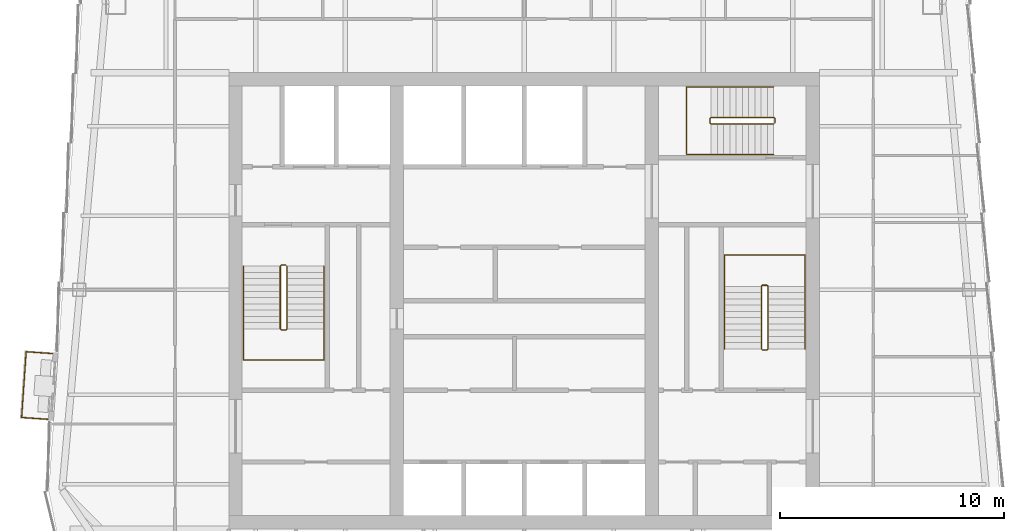
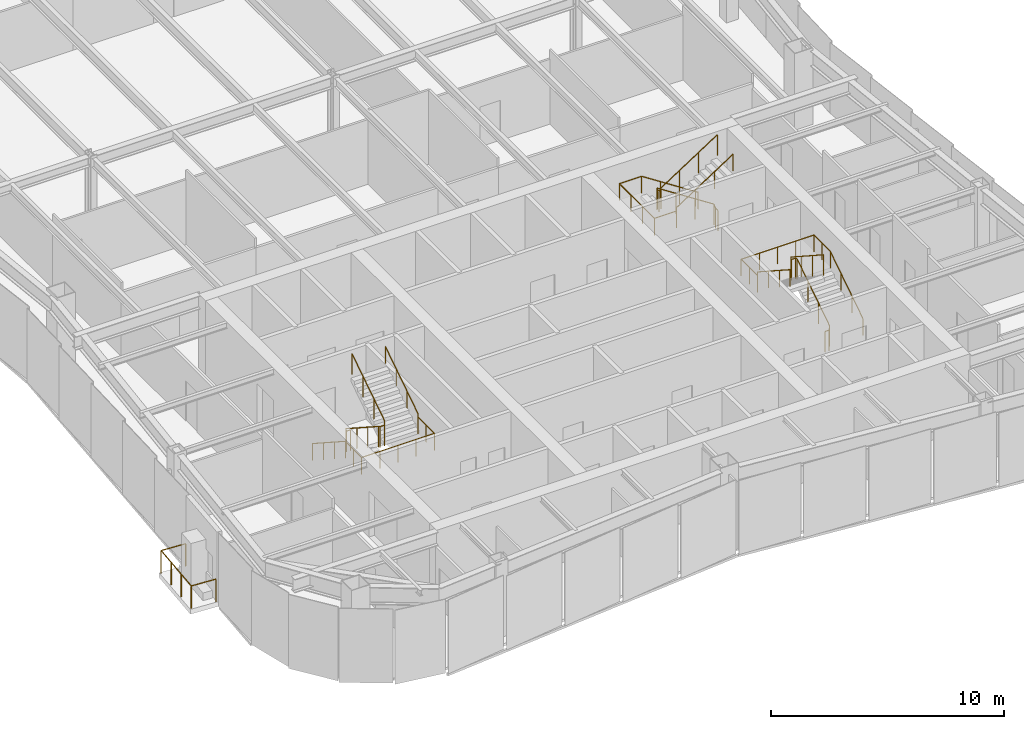
# One storey, part 9 of 10: 7 railings.
"""IFC4 building model written with IfcOpenShell, lengths in metres."""

from ifc_helpers import new_model, si_unit, direction, frame, origin, origin_2d, place, context, subcontext, project, spatial, circle, extrude, material, type_object, element, save


model = new_model("IFC4")

# Units and contexts
model_context = context("Model", 3, precision=1e-05, world=origin(), true_north=direction((0.0, 1.0)))
body_context = subcontext(model_context, "Body", "Model", "MODEL_VIEW")
ifc_project = project(units=[si_unit("LENGTHUNIT", "METRE"), si_unit("AREAUNIT", "SQUARE_METRE"), si_unit("VOLUMEUNIT", "CUBIC_METRE"), si_unit("PLANEANGLEUNIT", "RADIAN"), si_unit("MASSUNIT", "GRAM", prefix="KILO")], contexts=[model_context])

# Site, building, storey
site_placement = place(None, origin())
site = spatial("IfcSite", under=ifc_project, at=site_placement, CompositionType="ELEMENT")
building_placement = place(site_placement, origin())
building = spatial("IfcBuilding", under=site, at=building_placement, Name="Verdant Reach Tower", CompositionType="ELEMENT")
storey_placement = place(building_placement, frame((0.0, 0.0, 326.0)))
storey = spatial("IfcBuildingStorey", under=building, at=storey_placement, Name="L75", CompositionType="ELEMENT", Elevation=326.0)

# Railings
ifc_material_1 = material(Name="Stainless steel", Category="steel")
railing_type_1 = type_object("IfcRailingType", Name="CO-GUARD", PredefinedType="GUARDRAIL", material=ifc_material_1)
railing_1_placement = place(storey_placement, frame((-10.64990234375, 29.60009765625, 0.0)))
element("IfcRailing", 1, at=railing_1_placement, inside=storey, type_object=railing_type_1, Name="L75 ST-1 stair guard 1", PredefinedType="GUARDRAIL", context=body_context, shape_type="SweptSolid", body=[
    extrude(circle(Radius=0.02392578125, at=origin_2d()), frame((0.0, 0.0, 1.076171875), z_axis=(-1.0, 0.0, 0.0), x_axis=(0.0, -1.0, 0.0)), (0.0, 0.0, 1.0), 0.2001953125),
    extrude(circle(Radius=0.02392578125, at=origin_2d()), frame((-0.2001953125, 0.0, 1.076171875), z_axis=(-0.25526617399, -0.256517478764, 0.932222056972), x_axis=(0.708833529934, -0.705375805398, 0.0)), (0.0, 0.0, 1.0), 0.195068359375),
    extrude(circle(Radius=0.02392578125, at=origin_2d()), frame((-0.25, -0.050048828125, 1.2578125), z_axis=(0.0, -0.838705829183, 0.544584733623), x_axis=(1.0, 0.0, 0.0)), (0.0, 0.0, 1.0), 3.338623046875),
    extrude(circle(Radius=0.02392578125, at=origin_2d()), frame((-0.25, -2.85009765625, 3.076171875), z_axis=(0.705375805398, -0.708833529934, 0.0), x_axis=(0.708833529934, 0.705375805398, 0.0)), (0.0, 0.0, 1.0), 0.070556640625),
    extrude(circle(Radius=0.02392578125, at=origin_2d()), frame((-0.2001953125, -2.900146484375, 3.076171875), z_axis=(1.0, 0.0, 0.0), x_axis=(0.0, 1.0, 0.0)), (0.0, 0.0, 1.0), 0.2001953125),
    extrude(circle(Radius=0.02392578125, at=origin_2d()), frame((0.0, -2.900146484375, 3.076171875), z_axis=(0.25526617399, 0.256517478764, 0.932222056972), x_axis=(-0.708833529934, 0.705375805398, 0.0)), (0.0, 0.0, 1.0), 0.195068359375),
    extrude(circle(Radius=0.02392578125, at=origin_2d()), frame((0.0498046875, -2.85009765625, 3.2578125), z_axis=(0.0, 0.838705829183, 0.544584733623), x_axis=(-1.0, 0.0, 0.0)), (0.0, 0.0, 1.0), 3.338623046875),
    extrude(circle(Radius=0.02099609375, at=origin_2d()), origin(), (0.0, 0.0, 1.0), 1.052001953125),
    extrude(circle(Radius=0.02099609375, at=origin_2d()), frame((-0.2001953125, 0.0, 0.0)), (0.0, 0.0, 1.0), 1.052001953125),
    extrude(circle(Radius=0.02099609375, at=origin_2d()), frame((-0.25, -0.050048828125, 0.181884765625)), (0.0, 0.0, 1.0), 1.052001953125),
    extrude(circle(Radius=0.02099609375, at=origin_2d()), frame((-0.25, -0.9833984375, 0.787841796875)), (0.0, 0.0, 1.0), 1.052001953125),
    extrude(circle(Radius=0.02099609375, at=origin_2d()), frame((-0.25, -1.916748046875, 1.39404296875)), (0.0, 0.0, 1.0), 1.052001953125),
    extrude(circle(Radius=0.02099609375, at=origin_2d()), frame((-0.25, -2.85009765625, 2.0)), (0.0, 0.0, 1.0), 1.052001953125),
    extrude(circle(Radius=0.02099609375, at=origin_2d()), frame((-0.2001953125, -2.900146484375, 2.0)), (0.0, 0.0, 1.0), 1.052001953125),
    extrude(circle(Radius=0.02099609375, at=origin_2d()), frame((0.0, -2.900146484375, 2.0)), (0.0, 0.0, 1.0), 1.052001953125),
    extrude(circle(Radius=0.02099609375, at=origin_2d()), frame((0.0498046875, -2.85009765625, 2.181884765625)), (0.0, 0.0, 1.0), 1.052001953125),
    extrude(circle(Radius=0.02099609375, at=origin_2d()), frame((0.0498046875, -1.916748046875, 2.787841796875)), (0.0, 0.0, 1.0), 1.052001953125),
    extrude(circle(Radius=0.02099609375, at=origin_2d()), frame((0.0498046875, -0.9833984375, 3.39404296875)), (0.0, 0.0, 1.0), 1.052001953125),
    extrude(circle(Radius=0.02099609375, at=origin_2d()), frame((0.0498046875, -0.050048828125, 4.0)), (0.0, 0.0, 1.0), 1.052001953125),
])
railing_2_placement = place(storey_placement, frame((10.64990234375, 25.800048828125, 0.0)))
element("IfcRailing", 2, at=railing_2_placement, inside=storey, type_object=railing_type_1, Name="L75 ST-2 stair guard 1", PredefinedType="GUARDRAIL", context=body_context, shape_type="SweptSolid", body=[
    extrude(circle(Radius=0.02392578125, at=origin_2d()), frame((0.0, 0.0, 1.076171875), z_axis=(1.0, 0.0, 0.0), x_axis=(0.0, 1.0, 0.0)), (0.0, 0.0, 1.0), 0.2001953125),
    extrude(circle(Radius=0.02392578125, at=origin_2d()), frame((0.2001953125, 0.0, 1.076171875), z_axis=(0.25526617399, 0.256517478764, 0.932222056972), x_axis=(-0.708833529934, 0.705375805398, 0.0)), (0.0, 0.0, 1.0), 0.195068359375),
    extrude(circle(Radius=0.02392578125, at=origin_2d()), frame((0.25, 0.050048828125, 1.2578125), z_axis=(0.0, 0.83868413941, 0.544618136222), x_axis=(-1.0, 0.0, 0.0)), (0.0, 0.0, 1.0), 3.33837890625),
    extrude(circle(Radius=0.02392578125, at=origin_2d()), frame((0.25, 2.849853515625, 3.076171875), z_axis=(-0.705375805398, 0.708833529934, 0.0), x_axis=(-0.708833529934, -0.705375805398, 0.0)), (0.0, 0.0, 1.0), 0.070556640625),
    extrude(circle(Radius=0.02392578125, at=origin_2d()), frame((0.2001953125, 2.89990234375, 3.076171875), z_axis=(-1.0, 0.0, 0.0), x_axis=(0.0, -1.0, 0.0)), (0.0, 0.0, 1.0), 0.2001953125),
    extrude(circle(Radius=0.02392578125, at=origin_2d()), frame((0.0, 2.89990234375, 3.076171875), z_axis=(-0.25526617399, -0.256517478764, 0.932222056972), x_axis=(0.708833529934, -0.705375805398, 0.0)), (0.0, 0.0, 1.0), 0.195068359375),
    extrude(circle(Radius=0.02392578125, at=origin_2d()), frame((-0.0498046875, 2.849853515625, 3.2578125), z_axis=(0.0, -0.83868413941, 0.544618136222), x_axis=(1.0, 0.0, 0.0)), (0.0, 0.0, 1.0), 3.33837890625),
    extrude(circle(Radius=0.02099609375, at=origin_2d()), origin(), (0.0, 0.0, 1.0), 1.052001953125),
    extrude(circle(Radius=0.02099609375, at=origin_2d()), frame((0.2001953125, 0.0, 0.0)), (0.0, 0.0, 1.0), 1.052001953125),
    extrude(circle(Radius=0.02099609375, at=origin_2d()), frame((0.25, 0.050048828125, 0.181884765625)), (0.0, 0.0, 1.0), 1.052001953125),
    extrude(circle(Radius=0.02099609375, at=origin_2d()), frame((0.25, 0.9833984375, 0.787841796875)), (0.0, 0.0, 1.0), 1.052001953125),
    extrude(circle(Radius=0.02099609375, at=origin_2d()), frame((0.25, 1.91650390625, 1.39404296875)), (0.0, 0.0, 1.0), 1.052001953125),
    extrude(circle(Radius=0.02099609375, at=origin_2d()), frame((0.25, 2.849853515625, 2.0)), (0.0, 0.0, 1.0), 1.052001953125),
    extrude(circle(Radius=0.02099609375, at=origin_2d()), frame((0.2001953125, 2.89990234375, 2.0)), (0.0, 0.0, 1.0), 1.052001953125),
    extrude(circle(Radius=0.02099609375, at=origin_2d()), frame((0.0, 2.89990234375, 2.0)), (0.0, 0.0, 1.0), 1.052001953125),
    extrude(circle(Radius=0.02099609375, at=origin_2d()), frame((-0.0498046875, 2.849853515625, 2.181884765625)), (0.0, 0.0, 1.0), 1.052001953125),
    extrude(circle(Radius=0.02099609375, at=origin_2d()), frame((-0.0498046875, 1.91650390625, 2.787841796875)), (0.0, 0.0, 1.0), 1.052001953125),
    extrude(circle(Radius=0.02099609375, at=origin_2d()), frame((-0.0498046875, 0.9833984375, 3.39404296875)), (0.0, 0.0, 1.0), 1.052001953125),
    extrude(circle(Radius=0.02099609375, at=origin_2d()), frame((-0.0498046875, 0.050048828125, 4.0)), (0.0, 0.0, 1.0), 1.052001953125),
])
railing_3_placement = place(storey_placement, frame((11.199951171875, 35.949951171875, 0.0)))
element("IfcRailing", 3, at=railing_3_placement, inside=storey, type_object=railing_type_1, Name="L75 ST-3 stair guard 1", PredefinedType="GUARDRAIL", context=body_context, shape_type="SweptSolid", body=[
    extrude(circle(Radius=0.02392578125, at=origin_2d()), frame((0.0, 0.0, 1.076171875), z_axis=(0.0, 1.0, 0.0), x_axis=(-1.0, 0.0, 0.0)), (0.0, 0.0, 1.0), 0.199951171875),
    extrude(circle(Radius=0.02392578125, at=origin_2d()), frame((0.0, 0.199951171875, 1.076171875), z_axis=(-0.256435381639, 0.256435381639, 0.931923704005), x_axis=(-0.707106781187, -0.707106781187, 0.0)), (0.0, 0.0, 1.0), 0.195068359375),
    extrude(circle(Radius=0.02392578125, at=origin_2d()), frame((-0.050048828125, 0.25, 1.2578125), z_axis=(-0.83868413941, 0.0, 0.544618136222), x_axis=(0.0, -1.0, 0.0)), (0.0, 0.0, 1.0), 3.33837890625),
    extrude(circle(Radius=0.02392578125, at=origin_2d()), frame((-2.849853515625, 0.25, 3.076171875), z_axis=(-0.707106781187, -0.707106781187, 0.0), x_axis=(0.707106781187, -0.707106781187, 0.0)), (0.0, 0.0, 1.0), 0.07080078125),
    extrude(circle(Radius=0.02392578125, at=origin_2d()), frame((-2.89990234375, 0.199951171875, 3.076171875), z_axis=(0.0, -1.0, 0.0), x_axis=(1.0, 0.0, 0.0)), (0.0, 0.0, 1.0), 0.199951171875),
    extrude(circle(Radius=0.02392578125, at=origin_2d()), frame((-2.89990234375, 0.0, 3.076171875), z_axis=(0.256435381639, -0.256435381639, 0.931923704005), x_axis=(0.707106781187, 0.707106781187, 0.0)), (0.0, 0.0, 1.0), 0.195068359375),
    extrude(circle(Radius=0.02392578125, at=origin_2d()), frame((-2.849853515625, -0.050048828125, 3.2578125), z_axis=(0.83868413941, 0.0, 0.544618136222), x_axis=(0.0, 1.0, 0.0)), (0.0, 0.0, 1.0), 3.33837890625),
    extrude(circle(Radius=0.02099609375, at=origin_2d()), origin(), (0.0, 0.0, 1.0), 1.052001953125),
    extrude(circle(Radius=0.02099609375, at=origin_2d()), frame((0.0, 0.199951171875, 0.0)), (0.0, 0.0, 1.0), 1.052001953125),
    extrude(circle(Radius=0.02099609375, at=origin_2d()), frame((-0.050048828125, 0.25, 0.181884765625)), (0.0, 0.0, 1.0), 1.052001953125),
    extrude(circle(Radius=0.02099609375, at=origin_2d()), frame((-0.9833984375, 0.25, 0.787841796875)), (0.0, 0.0, 1.0), 1.052001953125),
    extrude(circle(Radius=0.02099609375, at=origin_2d()), frame((-1.91650390625, 0.25, 1.39404296875)), (0.0, 0.0, 1.0), 1.052001953125),
    extrude(circle(Radius=0.02099609375, at=origin_2d()), frame((-2.849853515625, 0.25, 2.0)), (0.0, 0.0, 1.0), 1.052001953125),
    extrude(circle(Radius=0.02099609375, at=origin_2d()), frame((-2.89990234375, 0.199951171875, 2.0)), (0.0, 0.0, 1.0), 1.052001953125),
    extrude(circle(Radius=0.02099609375, at=origin_2d()), frame((-2.89990234375, 0.0, 2.0)), (0.0, 0.0, 1.0), 1.052001953125),
    extrude(circle(Radius=0.02099609375, at=origin_2d()), frame((-2.849853515625, -0.050048828125, 2.181884765625)), (0.0, 0.0, 1.0), 1.052001953125),
    extrude(circle(Radius=0.02099609375, at=origin_2d()), frame((-1.91650390625, -0.050048828125, 2.787841796875)), (0.0, 0.0, 1.0), 1.052001953125),
    extrude(circle(Radius=0.02099609375, at=origin_2d()), frame((-0.9833984375, -0.050048828125, 3.39404296875)), (0.0, 0.0, 1.0), 1.052001953125),
    extrude(circle(Radius=0.02099609375, at=origin_2d()), frame((-0.050048828125, -0.050048828125, 4.0)), (0.0, 0.0, 1.0), 1.052001953125),
])
railing_type_2 = type_object("IfcRailingType", Name="CO-HANDRAIL", PredefinedType="HANDRAIL", material=ifc_material_1)
railing_4_placement = place(storey_placement, frame((-12.550048828125, 29.550048828125, 0.181884765625)))
element("IfcRailing", 4, at=railing_4_placement, inside=storey, type_object=railing_type_2, Name="L75 ST-1 stair handrail 1", PredefinedType="HANDRAIL", context=body_context, shape_type="SweptSolid", body=[
    extrude(circle(Radius=0.02392578125, at=origin_2d()), frame((0.0, 0.0, 0.8759765625), z_axis=(0.0, -0.838705829183, 0.544584733623), x_axis=(1.0, 0.0, 0.0)), (0.0, 0.0, 1.0), 3.338623046875),
    extrude(circle(Radius=0.02392578125, at=origin_2d()), frame((0.0, -2.800048828125, 2.69384765625), z_axis=(0.0, -1.0, 0.0), x_axis=(1.0, 0.0, 0.0)), (0.0, 0.0, 1.0), 1.39990234375),
    extrude(circle(Radius=0.02392578125, at=origin_2d()), frame((0.0, -4.199951171875, 2.69384765625), z_axis=(1.0, 0.0, 0.0), x_axis=(0.0, 1.0, 0.0)), (0.0, 0.0, 1.0), 3.60009765625),
    extrude(circle(Radius=0.02392578125, at=origin_2d()), frame((3.60009765625, -4.199951171875, 2.69384765625), z_axis=(0.0, 1.0, 0.0), x_axis=(-1.0, 0.0, 0.0)), (0.0, 0.0, 1.0), 1.39990234375),
    extrude(circle(Radius=0.02392578125, at=origin_2d()), frame((3.60009765625, -2.800048828125, 2.69384765625), z_axis=(0.0, 0.0, 1.0), x_axis=(1.0, 0.0, 0.0)), (0.0, 0.0, 1.0), 0.181884765625),
    extrude(circle(Radius=0.02392578125, at=origin_2d()), frame((3.60009765625, -2.800048828125, 2.8759765625), z_axis=(0.0, 0.838705829183, 0.544584733623), x_axis=(-1.0, 0.0, 0.0)), (0.0, 0.0, 1.0), 3.338623046875),
    extrude(circle(Radius=0.02099609375, at=origin_2d()), origin(), (0.0, 0.0, 1.0), 0.851806640625),
    extrude(circle(Radius=0.02099609375, at=origin_2d()), frame((0.0, -0.933349609375, 0.60595703125)), (0.0, 0.0, 1.0), 0.851806640625),
    extrude(circle(Radius=0.02099609375, at=origin_2d()), frame((0.0, -1.86669921875, 1.212158203125)), (0.0, 0.0, 1.0), 0.851806640625),
    extrude(circle(Radius=0.02099609375, at=origin_2d()), frame((0.0, -2.800048828125, 1.818115234375)), (0.0, 0.0, 1.0), 0.851806640625),
    extrude(circle(Radius=0.02099609375, at=origin_2d()), frame((0.0, -3.5, 1.818115234375)), (0.0, 0.0, 1.0), 0.851806640625),
    extrude(circle(Radius=0.02099609375, at=origin_2d()), frame((0.0, -4.199951171875, 1.818115234375)), (0.0, 0.0, 1.0), 0.851806640625),
    extrude(circle(Radius=0.02099609375, at=origin_2d()), frame((0.89990234375, -4.199951171875, 1.818115234375)), (0.0, 0.0, 1.0), 0.851806640625),
    extrude(circle(Radius=0.02099609375, at=origin_2d()), frame((1.800048828125, -4.199951171875, 1.818115234375)), (0.0, 0.0, 1.0), 0.851806640625),
    extrude(circle(Radius=0.02099609375, at=origin_2d()), frame((2.7001953125, -4.199951171875, 1.818115234375)), (0.0, 0.0, 1.0), 0.851806640625),
    extrude(circle(Radius=0.02099609375, at=origin_2d()), frame((3.60009765625, -4.199951171875, 1.818115234375)), (0.0, 0.0, 1.0), 0.851806640625),
    extrude(circle(Radius=0.02099609375, at=origin_2d()), frame((3.60009765625, -3.5, 1.818115234375)), (0.0, 0.0, 1.0), 0.851806640625),
    extrude(circle(Radius=0.02099609375, at=origin_2d()), frame((3.60009765625, -2.800048828125, 1.818115234375)), (0.0, 0.0, 1.0), 0.851806640625),
    extrude(circle(Radius=0.02099609375, at=origin_2d()), frame((3.60009765625, -2.800048828125, 2.0)), (0.0, 0.0, 1.0), 0.851806640625),
    extrude(circle(Radius=0.02099609375, at=origin_2d()), frame((3.60009765625, -1.86669921875, 2.60595703125)), (0.0, 0.0, 1.0), 0.851806640625),
    extrude(circle(Radius=0.02099609375, at=origin_2d()), frame((3.60009765625, -0.933349609375, 3.212158203125)), (0.0, 0.0, 1.0), 0.851806640625),
    extrude(circle(Radius=0.02099609375, at=origin_2d()), frame((3.60009765625, 0.0, 3.818115234375)), (0.0, 0.0, 1.0), 0.851806640625),
])
railing_5_placement = place(storey_placement, frame((12.550048828125, 25.85009765625, 0.181884765625)))
element("IfcRailing", 5, at=railing_5_placement, inside=storey, type_object=railing_type_2, Name="L75 ST-2 stair handrail 1", PredefinedType="HANDRAIL", context=body_context, shape_type="SweptSolid", body=[
    extrude(circle(Radius=0.02392578125, at=origin_2d()), frame((0.0, 0.0, 0.8759765625), z_axis=(0.0, 0.83868413941, 0.544618136222), x_axis=(-1.0, 0.0, 0.0)), (0.0, 0.0, 1.0), 3.33837890625),
    extrude(circle(Radius=0.02392578125, at=origin_2d()), frame((0.0, 2.7998046875, 2.69384765625), z_axis=(0.0, 1.0, 0.0), x_axis=(-1.0, 0.0, 0.0)), (0.0, 0.0, 1.0), 1.400146484375),
    extrude(circle(Radius=0.02392578125, at=origin_2d()), frame((0.0, 4.199951171875, 2.69384765625), z_axis=(-1.0, 0.0, 0.0), x_axis=(0.0, -1.0, 0.0)), (0.0, 0.0, 1.0), 3.60009765625),
    extrude(circle(Radius=0.02392578125, at=origin_2d()), frame((-3.60009765625, 4.199951171875, 2.69384765625), z_axis=(0.0, -1.0, 0.0), x_axis=(1.0, 0.0, 0.0)), (0.0, 0.0, 1.0), 1.400146484375),
    extrude(circle(Radius=0.02392578125, at=origin_2d()), frame((-3.60009765625, 2.7998046875, 2.69384765625), z_axis=(0.0, 0.0, 1.0), x_axis=(1.0, 0.0, 0.0)), (0.0, 0.0, 1.0), 0.181884765625),
    extrude(circle(Radius=0.02392578125, at=origin_2d()), frame((-3.60009765625, 2.7998046875, 2.8759765625), z_axis=(0.0, -0.83868413941, 0.544618136222), x_axis=(1.0, 0.0, 0.0)), (0.0, 0.0, 1.0), 3.33837890625),
    extrude(circle(Radius=0.02099609375, at=origin_2d()), origin(), (0.0, 0.0, 1.0), 0.851806640625),
    extrude(circle(Radius=0.02099609375, at=origin_2d()), frame((0.0, 0.933349609375, 0.60595703125)), (0.0, 0.0, 1.0), 0.851806640625),
    extrude(circle(Radius=0.02099609375, at=origin_2d()), frame((0.0, 1.866455078125, 1.212158203125)), (0.0, 0.0, 1.0), 0.851806640625),
    extrude(circle(Radius=0.02099609375, at=origin_2d()), frame((0.0, 2.7998046875, 1.818115234375)), (0.0, 0.0, 1.0), 0.851806640625),
    extrude(circle(Radius=0.02099609375, at=origin_2d()), frame((0.0, 3.5, 1.818115234375)), (0.0, 0.0, 1.0), 0.851806640625),
    extrude(circle(Radius=0.02099609375, at=origin_2d()), frame((0.0, 4.199951171875, 1.818115234375)), (0.0, 0.0, 1.0), 0.851806640625),
    extrude(circle(Radius=0.02099609375, at=origin_2d()), frame((-0.89990234375, 4.199951171875, 1.818115234375)), (0.0, 0.0, 1.0), 0.851806640625),
    extrude(circle(Radius=0.02099609375, at=origin_2d()), frame((-1.800048828125, 4.199951171875, 1.818115234375)), (0.0, 0.0, 1.0), 0.851806640625),
    extrude(circle(Radius=0.02099609375, at=origin_2d()), frame((-2.7001953125, 4.199951171875, 1.818115234375)), (0.0, 0.0, 1.0), 0.851806640625),
    extrude(circle(Radius=0.02099609375, at=origin_2d()), frame((-3.60009765625, 4.199951171875, 1.818115234375)), (0.0, 0.0, 1.0), 0.851806640625),
    extrude(circle(Radius=0.02099609375, at=origin_2d()), frame((-3.60009765625, 3.5, 1.818115234375)), (0.0, 0.0, 1.0), 0.851806640625),
    extrude(circle(Radius=0.02099609375, at=origin_2d()), frame((-3.60009765625, 2.7998046875, 1.818115234375)), (0.0, 0.0, 1.0), 0.851806640625),
    extrude(circle(Radius=0.02099609375, at=origin_2d()), frame((-3.60009765625, 2.7998046875, 2.0)), (0.0, 0.0, 1.0), 0.851806640625),
    extrude(circle(Radius=0.02099609375, at=origin_2d()), frame((-3.60009765625, 1.866455078125, 2.60595703125)), (0.0, 0.0, 1.0), 0.851806640625),
    extrude(circle(Radius=0.02099609375, at=origin_2d()), frame((-3.60009765625, 0.933349609375, 3.212158203125)), (0.0, 0.0, 1.0), 0.851806640625),
    extrude(circle(Radius=0.02099609375, at=origin_2d()), frame((-3.60009765625, 0.0, 3.818115234375)), (0.0, 0.0, 1.0), 0.851806640625),
])
railing_6_placement = place(storey_placement, frame((11.14990234375, 37.550048828125, 0.181884765625)))
element("IfcRailing", 6, at=railing_6_placement, inside=storey, type_object=railing_type_2, Name="L75 ST-3 stair handrail 1", PredefinedType="HANDRAIL", context=body_context, shape_type="SweptSolid", body=[
    extrude(circle(Radius=0.02392578125, at=origin_2d()), frame((0.0, 0.0, 0.8759765625), z_axis=(-0.83868413941, 0.0, 0.544618136222), x_axis=(0.0, -1.0, 0.0)), (0.0, 0.0, 1.0), 3.33837890625),
    extrude(circle(Radius=0.02392578125, at=origin_2d()), frame((-2.7998046875, 0.0, 2.69384765625), z_axis=(-1.0, 0.0, 0.0), x_axis=(0.0, -1.0, 0.0)), (0.0, 0.0, 1.0), 1.10009765625),
    extrude(circle(Radius=0.02392578125, at=origin_2d()), frame((-3.89990234375, 0.0, 2.69384765625), z_axis=(0.0, -1.0, 0.0), x_axis=(1.0, 0.0, 0.0)), (0.0, 0.0, 1.0), 3.0),
    extrude(circle(Radius=0.02392578125, at=origin_2d()), frame((-3.89990234375, -3.0, 2.69384765625), z_axis=(1.0, 0.0, 0.0), x_axis=(0.0, 1.0, 0.0)), (0.0, 0.0, 1.0), 1.10009765625),
    extrude(circle(Radius=0.02392578125, at=origin_2d()), frame((-2.7998046875, -3.0, 2.69384765625), z_axis=(0.0, 0.0, 1.0), x_axis=(1.0, 0.0, 0.0)), (0.0, 0.0, 1.0), 0.181884765625),
    extrude(circle(Radius=0.02392578125, at=origin_2d()), frame((-2.7998046875, -3.0, 2.8759765625), z_axis=(0.83868413941, 0.0, 0.544618136222), x_axis=(0.0, 1.0, 0.0)), (0.0, 0.0, 1.0), 3.33837890625),
    extrude(circle(Radius=0.02099609375, at=origin_2d()), origin(), (0.0, 0.0, 1.0), 0.851806640625),
    extrude(circle(Radius=0.02099609375, at=origin_2d()), frame((-0.933349609375, 0.0, 0.60595703125)), (0.0, 0.0, 1.0), 0.851806640625),
    extrude(circle(Radius=0.02099609375, at=origin_2d()), frame((-1.866455078125, 0.0, 1.212158203125)), (0.0, 0.0, 1.0), 0.851806640625),
    extrude(circle(Radius=0.02099609375, at=origin_2d()), frame((-2.7998046875, 0.0, 1.818115234375)), (0.0, 0.0, 1.0), 0.851806640625),
    extrude(circle(Radius=0.02099609375, at=origin_2d()), frame((-3.89990234375, 0.0, 1.818115234375)), (0.0, 0.0, 1.0), 0.851806640625),
    extrude(circle(Radius=0.02099609375, at=origin_2d()), frame((-3.89990234375, -1.0, 1.818115234375)), (0.0, 0.0, 1.0), 0.851806640625),
    extrude(circle(Radius=0.02099609375, at=origin_2d()), frame((-3.89990234375, -2.0, 1.818115234375)), (0.0, 0.0, 1.0), 0.851806640625),
    extrude(circle(Radius=0.02099609375, at=origin_2d()), frame((-3.89990234375, -3.0, 1.818115234375)), (0.0, 0.0, 1.0), 0.851806640625),
    extrude(circle(Radius=0.02099609375, at=origin_2d()), frame((-2.7998046875, -3.0, 1.818115234375)), (0.0, 0.0, 1.0), 0.851806640625),
    extrude(circle(Radius=0.02099609375, at=origin_2d()), frame((-2.7998046875, -3.0, 2.0)), (0.0, 0.0, 1.0), 0.851806640625),
    extrude(circle(Radius=0.02099609375, at=origin_2d()), frame((-1.866455078125, -3.0, 2.60595703125)), (0.0, 0.0, 1.0), 0.851806640625),
    extrude(circle(Radius=0.02099609375, at=origin_2d()), frame((-0.933349609375, -3.0, 3.212158203125)), (0.0, 0.0, 1.0), 0.851806640625),
    extrude(circle(Radius=0.02099609375, at=origin_2d()), frame((0.0, -3.0, 3.818115234375)), (0.0, 0.0, 1.0), 0.851806640625),
])
ifc_material_2 = material(Name="Stainless steel and laminated glass balustrade", Category="steel")
railing_type_3 = type_object("IfcRailingType", Name="EN-RAILING BALCONY", PredefinedType="GUARDRAIL", material=ifc_material_2)
railing_7_placement = place(storey_placement, frame((-21.086669921875, 25.6474609375, 0.0)))
element("IfcRailing", 7, at=railing_7_placement, inside=storey, type_object=railing_type_3, Name="Balcony guard 1, L75", PredefinedType="GUARDRAIL", context=body_context, shape_type="SweptSolid", body=[
    extrude(circle(Radius=0.02490234375, at=origin_2d()), frame((0.0, 0.0, 1.1748046875), z_axis=(-0.997640688741, 0.068651701861, 0.0), x_axis=(-0.068651701861, -0.997640688741, 0.0)), (0.0, 0.0, 1.0), 1.169921875),
    extrude(circle(Radius=0.02490234375, at=origin_2d()), frame((-1.167236328125, 0.080322265625, 1.1748046875), z_axis=(-0.068819165156, -0.997629150791, 0.0), x_axis=(0.997629150791, -0.068819165156, 0.0)), (0.0, 0.0, 1.0), 2.944580078125),
    extrude(circle(Radius=0.02490234375, at=origin_2d()), frame((-1.369873046875, -2.857177734375, 1.1748046875), z_axis=(0.997626375729, -0.068859381717, 0.0), x_axis=(0.068859381717, 0.997626375729, 0.0)), (0.0, 0.0, 1.0), 1.169921875),
    extrude(circle(Radius=0.02490234375, at=origin_2d()), origin(), (0.0, 0.0, 1.0), 1.14990234375),
    extrude(circle(Radius=0.02490234375, at=origin_2d()), frame((-1.167236328125, 0.080322265625, 0.0)), (0.0, 0.0, 1.0), 1.14990234375),
    extrude(circle(Radius=0.02490234375, at=origin_2d()), frame((-1.23486328125, -0.89892578125, 0.0)), (0.0, 0.0, 1.0), 1.14990234375),
    extrude(circle(Radius=0.02490234375, at=origin_2d()), frame((-1.30224609375, -1.8779296875, 0.0)), (0.0, 0.0, 1.0), 1.14990234375),
    extrude(circle(Radius=0.02490234375, at=origin_2d()), frame((-1.369873046875, -2.857177734375, 0.0)), (0.0, 0.0, 1.0), 1.14990234375),
    extrude(circle(Radius=0.02490234375, at=origin_2d()), frame((-0.20263671875, -2.937744140625, 0.0)), (0.0, 0.0, 1.0), 1.14990234375),
])

save(model, "model.ifc")
